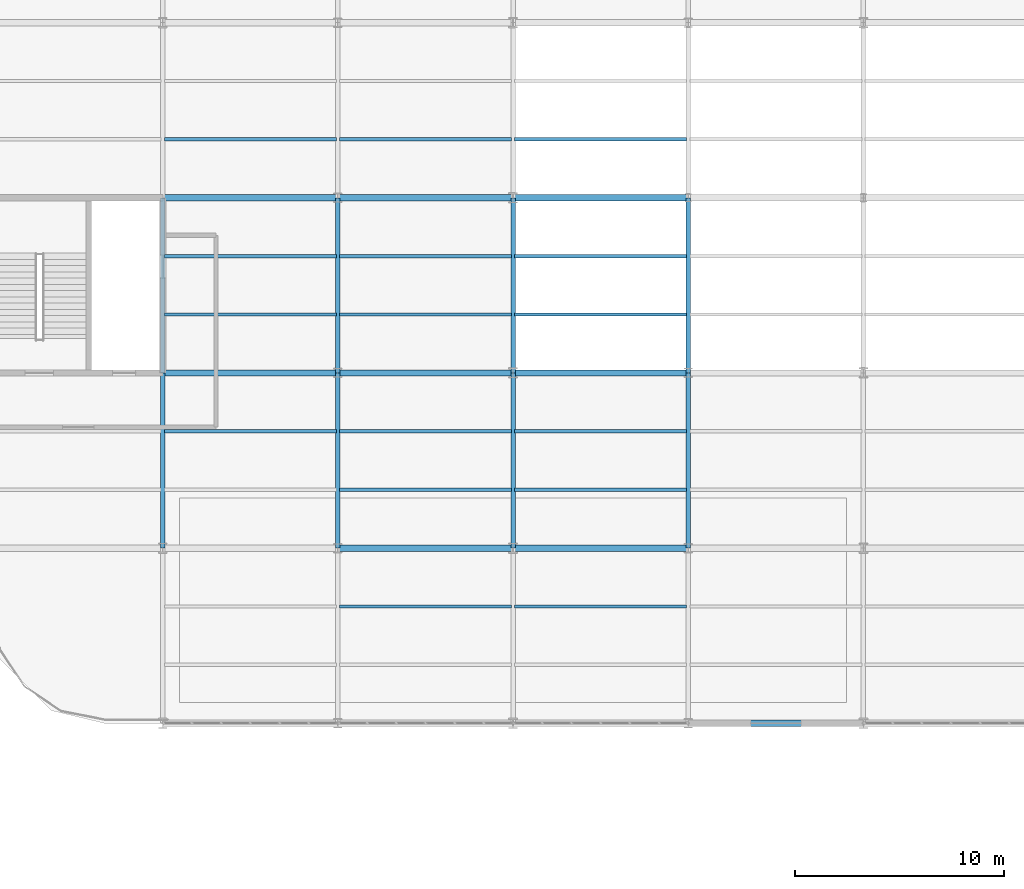
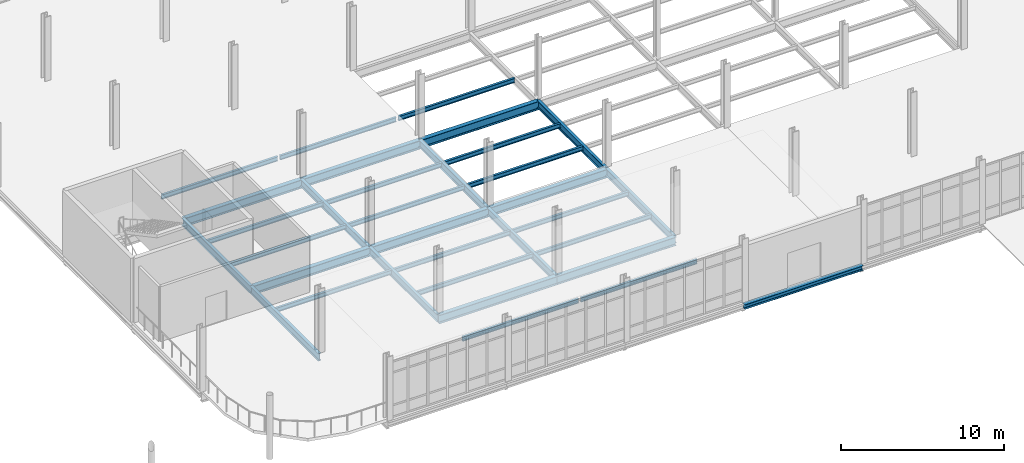
# One storey, part 77 of 145: 33 beams.
"""IFC4 building model written with IfcOpenShell, lengths in metres."""

from ifc_helpers import new_model, si_unit, direction, frame, origin, origin_2d, place, context, subcontext, project, spatial, i_section, extrude, material, material_profile, profile_set, type_object, element, save


model = new_model("IFC4")

# Units and contexts
model_context = context("Model", 3, precision=1e-05, world=origin(), true_north=direction((0.0, 1.0)))
body_context = subcontext(model_context, "Body", "Model", "MODEL_VIEW")
ifc_project = project(units=[si_unit("LENGTHUNIT", "METRE"), si_unit("AREAUNIT", "SQUARE_METRE"), si_unit("VOLUMEUNIT", "CUBIC_METRE"), si_unit("PLANEANGLEUNIT", "RADIAN"), si_unit("MASSUNIT", "GRAM", prefix="KILO")], contexts=[model_context])

# Site, building, storey
site_placement = place(None, origin())
site = spatial("IfcSite", under=ifc_project, at=site_placement, CompositionType="ELEMENT")
building_placement = place(site_placement, origin())
building = spatial("IfcBuilding", under=site, at=building_placement, Name="Qalvenar Corner Mobility Hub", CompositionType="ELEMENT")
storey_placement = place(building_placement, origin())
storey = spatial("IfcBuildingStorey", under=building, at=storey_placement, Name="L00", CompositionType="ELEMENT", Elevation=0.0)

# Beams
ifc_material = material(Name="Steel S355", Category="steel")
ifc_material_profile_1 = material_profile(ifc_material, i_section(OverallWidth=0.300048828125, OverallDepth=0.639892578125, WebThickness=0.013427734375, FlangeThickness=0.02587890625, FilletRadius=0.027099609375, at=origin_2d()), Name="HEA650")
ifc_profile_set_1 = profile_set([ifc_material_profile_1], Name="Steel S355")
beam_type_1 = type_object("IfcBeamType", Name="BM-HEA650", PredefinedType="BEAM", material=ifc_profile_set_1)
for number, where, z_axis, x_axis, name in (
    (1, (75.60009765625, 75.60009765625, -0.5400390625), (1.0, 0.0, 0.0), (0.0, 1.0, 0.0), "Primary Steel Girder GX-0533"),
    (2, (84.0, 75.60009765625, -0.5400390625), (1.0, 0.0, 0.0), (0.0, 1.0, 0.0), "Primary Steel Girder GX-0534"),
):
    element("IfcBeam", number, at=place(storey_placement, frame(where, z_axis=z_axis, x_axis=x_axis)), inside=storey, type_object=beam_type_1, Name=name, PredefinedType="BEAM", context=body_context, shape_type="SweptSolid", body=[
        extrude(i_section(OverallWidth=0.300048828125, OverallDepth=0.639892578125, WebThickness=0.013427734375, FlangeThickness=0.02587890625, FilletRadius=0.027099609375, at=origin_2d()), origin(), (0.0, 0.0, 1.0), 8.39990234375),
    ])
beam_1_placement = place(storey_placement, frame((67.199951171875, 84.0, -0.5400390625), z_axis=(1.0, 0.0, 0.0), x_axis=(0.0, 1.0, 0.0)))
element("IfcBeam", 3, at=beam_1_placement, inside=storey, type_object=beam_type_1, Name="Primary Steel Girder GX-0542", PredefinedType="BEAM", context=body_context, shape_type="SweptSolid", body=[
    extrude(i_section(OverallWidth=0.300048828125, OverallDepth=0.639892578125, WebThickness=0.013427734375, FlangeThickness=0.02587890625, FilletRadius=0.027099609375, at=origin_2d()), origin(), (0.0, 0.0, 1.0), 8.400146484375),
])
for number, where, z_axis, x_axis, name in (
    (4, (75.60009765625, 84.0, -0.5400390625), (1.0, 0.0, 0.0), (0.0, 1.0, 0.0), "Primary Steel Girder GX-0543"),
    (5, (84.0, 84.0, -0.5400390625), (1.0, 0.0, 0.0), (0.0, 1.0, 0.0), "Primary Steel Girder GX-0544"),
):
    element("IfcBeam", number, at=place(storey_placement, frame(where, z_axis=z_axis, x_axis=x_axis)), inside=storey, type_object=beam_type_1, Name=name, PredefinedType="BEAM", context=body_context, shape_type="SweptSolid", body=[
        extrude(i_section(OverallWidth=0.300048828125, OverallDepth=0.639892578125, WebThickness=0.013427734375, FlangeThickness=0.02587890625, FilletRadius=0.027099609375, at=origin_2d()), origin(), (0.0, 0.0, 1.0), 8.39990234375),
    ])
beam_2_placement = place(storey_placement, frame((67.199951171875, 92.39990234375, -0.5400390625), z_axis=(1.0, 0.0, 0.0), x_axis=(0.0, 1.0, 0.0)))
element("IfcBeam", 6, at=beam_2_placement, inside=storey, type_object=beam_type_1, Name="Primary Steel Girder GX-0552", PredefinedType="BEAM", context=body_context, shape_type="SweptSolid", body=[
    extrude(i_section(OverallWidth=0.300048828125, OverallDepth=0.639892578125, WebThickness=0.013427734375, FlangeThickness=0.02587890625, FilletRadius=0.027099609375, at=origin_2d()), origin(), (0.0, 0.0, 1.0), 8.400146484375),
])
for number, where, z_axis, x_axis, name in (
    (7, (75.60009765625, 92.39990234375, -0.5400390625), (1.0, 0.0, 0.0), (0.0, 1.0, 0.0), "Primary Steel Girder GX-0553"),
    (8, (84.0, 92.39990234375, -0.5400390625), (1.0, 0.0, 0.0), (0.0, 1.0, 0.0), "Primary Steel Girder GX-0554"),
):
    element("IfcBeam", number, at=place(storey_placement, frame(where, z_axis=z_axis, x_axis=x_axis)), inside=storey, type_object=beam_type_1, Name=name, PredefinedType="BEAM", context=body_context, shape_type="SweptSolid", body=[
        extrude(i_section(OverallWidth=0.300048828125, OverallDepth=0.639892578125, WebThickness=0.013427734375, FlangeThickness=0.02587890625, FilletRadius=0.027099609375, at=origin_2d()), origin(), (0.0, 0.0, 1.0), 8.39990234375),
    ])
ifc_material_profile_2 = material_profile(ifc_material, i_section(OverallWidth=0.2099609375, OverallDepth=0.550048828125, WebThickness=0.010986328125, FlangeThickness=0.01708984375, FilletRadius=0.02392578125, at=origin_2d()), Name="IPE550")
ifc_profile_set_2 = profile_set([ifc_material_profile_2], Name="Steel S355")
beam_type_2 = type_object("IfcBeamType", Name="BM-IPE550", PredefinedType="BEAM", material=ifc_profile_set_2)
for number, where, z_axis, x_axis, name in (
    (9, (67.199951171875, 75.60009765625, -0.4951171875), (0.0, 1.0, 0.0), (-1.0, 0.0, 0.0), "Primary Steel Girder GY-0594"),
    (10, (67.199951171875, 84.0, -0.4951171875), (0.0, 1.0, 0.0), (-1.0, 0.0, 0.0), "Primary Steel Girder GY-0595"),
    (11, (75.60009765625, 75.60009765625, -0.4951171875), (0.0, 1.0, 0.0), (-1.0, 0.0, 0.0), "Primary Steel Girder GY-0600"),
    (12, (75.60009765625, 84.0, -0.4951171875), (0.0, 1.0, 0.0), (-1.0, 0.0, 0.0), "Primary Steel Girder GY-0601"),
    (13, (84.0, 75.60009765625, -0.4951171875), (0.0, 1.0, 0.0), (-1.0, 0.0, 0.0), "Primary Steel Girder GY-0606"),
    (14, (84.0, 84.0, -0.4951171875), (0.0, 1.0, 0.0), (-1.0, 0.0, 0.0), "Primary Steel Girder GY-0607"),
    (15, (92.39990234375, 75.60009765625, -0.4951171875), (0.0, 1.0, 0.0), (-1.0, 0.0, 0.0), "Primary Steel Girder GY-0612"),
    (16, (92.39990234375, 84.0, -0.4951171875), (0.0, 1.0, 0.0), (-1.0, 0.0, 0.0), "Primary Steel Girder GY-0613"),
):
    element("IfcBeam", number, at=place(storey_placement, frame(where, z_axis=z_axis, x_axis=x_axis)), inside=storey, type_object=beam_type_2, Name=name, PredefinedType="BEAM", context=body_context, shape_type="SweptSolid", body=[
        extrude(i_section(OverallWidth=0.2099609375, OverallDepth=0.550048828125, WebThickness=0.010986328125, FlangeThickness=0.01708984375, FilletRadius=0.02392578125, at=origin_2d()), origin(), (0.0, 0.0, 1.0), 8.39990234375),
    ])
ifc_material_profile_3 = material_profile(ifc_material, i_section(OverallWidth=0.159912109375, OverallDepth=0.330078125, WebThickness=0.007568359375, FlangeThickness=0.011474609375, FilletRadius=0.01806640625, at=origin_2d()), Name="IPE330")
ifc_profile_set_3 = profile_set([ifc_material_profile_3], Name="Steel S355")
beam_type_3 = type_object("IfcBeamType", Name="BM-JST330", PredefinedType="JOIST", material=ifc_profile_set_3)
for number, where, z_axis, x_axis, name in (
    (17, (67.278076171875, 81.199951171875, -0.385009765625), (1.0, 0.0, 0.0), (0.0, 1.0, 0.0), "Composite Floor Joist J-0660"),
    (18, (67.278076171875, 86.800048828125, -0.385009765625), (1.0, 0.0, 0.0), (0.0, 1.0, 0.0), "Composite Floor Joist J-0661"),
    (19, (67.278076171875, 89.60009765625, -0.385009765625), (1.0, 0.0, 0.0), (0.0, 1.0, 0.0), "Composite Floor Joist J-0662"),
    (20, (67.278076171875, 95.199951171875, -0.385009765625), (1.0, 0.0, 0.0), (0.0, 1.0, 0.0), "Composite Floor Joist J-0663"),
):
    element("IfcBeam", number, at=place(storey_placement, frame(where, z_axis=z_axis, x_axis=x_axis)), inside=storey, type_object=beam_type_3, Name=name, PredefinedType="JOIST", context=body_context, shape_type="SweptSolid", body=[
        extrude(i_section(OverallWidth=0.159912109375, OverallDepth=0.330078125, WebThickness=0.007568359375, FlangeThickness=0.011474609375, FilletRadius=0.01806640625, at=origin_2d()), origin(), (0.0, 0.0, 1.0), 8.243896484375),
    ])
for number, where, z_axis, x_axis, name in (
    (21, (75.677978515625, 72.800048828125, -0.385009765625), (1.0, 0.0, 0.0), (0.0, 1.0, 0.0), "Composite Floor Joist J-0670"),
    (22, (75.677978515625, 78.39990234375, -0.385009765625), (1.0, 0.0, 0.0), (0.0, 1.0, 0.0), "Composite Floor Joist J-0671"),
    (23, (75.677978515625, 81.199951171875, -0.385009765625), (1.0, 0.0, 0.0), (0.0, 1.0, 0.0), "Composite Floor Joist J-0672"),
    (24, (75.677978515625, 86.800048828125, -0.385009765625), (1.0, 0.0, 0.0), (0.0, 1.0, 0.0), "Composite Floor Joist J-0673"),
    (25, (75.677978515625, 89.60009765625, -0.385009765625), (1.0, 0.0, 0.0), (0.0, 1.0, 0.0), "Composite Floor Joist J-0674"),
    (26, (75.677978515625, 95.199951171875, -0.385009765625), (1.0, 0.0, 0.0), (0.0, 1.0, 0.0), "Composite Floor Joist J-0675"),
    (27, (84.077880859375, 72.800048828125, -0.385009765625), (1.0, 0.0, 0.0), (0.0, 1.0, 0.0), "Composite Floor Joist J-0682"),
    (28, (84.077880859375, 78.39990234375, -0.385009765625), (1.0, 0.0, 0.0), (0.0, 1.0, 0.0), "Composite Floor Joist J-0683"),
    (29, (84.077880859375, 81.199951171875, -0.385009765625), (1.0, 0.0, 0.0), (0.0, 1.0, 0.0), "Composite Floor Joist J-0684"),
    (30, (84.077880859375, 86.800048828125, -0.385009765625), (1.0, 0.0, 0.0), (0.0, 1.0, 0.0), "Composite Floor Joist J-0685"),
    (31, (84.077880859375, 89.60009765625, -0.385009765625), (1.0, 0.0, 0.0), (0.0, 1.0, 0.0), "Composite Floor Joist J-0686"),
    (32, (84.077880859375, 95.199951171875, -0.385009765625), (1.0, 0.0, 0.0), (0.0, 1.0, 0.0), "Composite Floor Joist J-0687"),
):
    element("IfcBeam", number, at=place(storey_placement, frame(where, z_axis=z_axis, x_axis=x_axis)), inside=storey, type_object=beam_type_3, Name=name, PredefinedType="JOIST", context=body_context, shape_type="SweptSolid", body=[
        extrude(i_section(OverallWidth=0.159912109375, OverallDepth=0.330078125, WebThickness=0.007568359375, FlangeThickness=0.011474609375, FilletRadius=0.01806640625, at=origin_2d()), origin(), (0.0, 0.0, 1.0), 8.244140625),
    ])
ifc_material_profile_4 = material_profile(ifc_material, i_section(OverallWidth=0.300048828125, OverallDepth=0.35009765625, WebThickness=0.010009765625, FlangeThickness=0.017578125, FilletRadius=0.027099609375, at=origin_2d()), Name="HEA360")
ifc_profile_set_4 = profile_set([ifc_material_profile_4], Name="Steel S355")
beam_type_4 = type_object("IfcBeamType", Name="BM-SPN360", PredefinedType="SPANDREL", material=ifc_profile_set_4)
beam_3_placement = place(storey_placement, frame((92.39990234375, 67.199951171875, -0.39501953125), z_axis=(1.0, 0.0, 0.0), x_axis=(0.0, 1.0, 0.0)))
element("IfcBeam", 33, at=beam_3_placement, inside=storey, type_object=beam_type_4, Name="Primary Steel Girder GX-0526", PredefinedType="SPANDREL", context=body_context, shape_type="SweptSolid", body=[
    extrude(i_section(OverallWidth=0.300048828125, OverallDepth=0.35009765625, WebThickness=0.010009765625, FlangeThickness=0.017578125, FilletRadius=0.027099609375, at=origin_2d()), origin(), (0.0, 0.0, 1.0), 8.400146484375),
])

save(model, "model.ifc")
